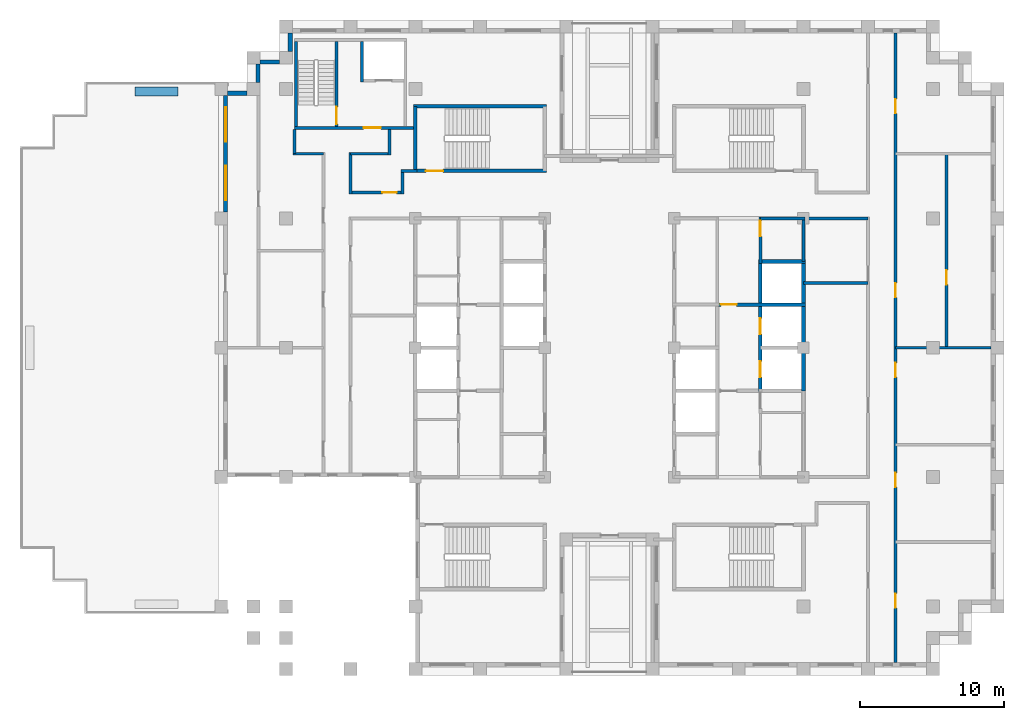
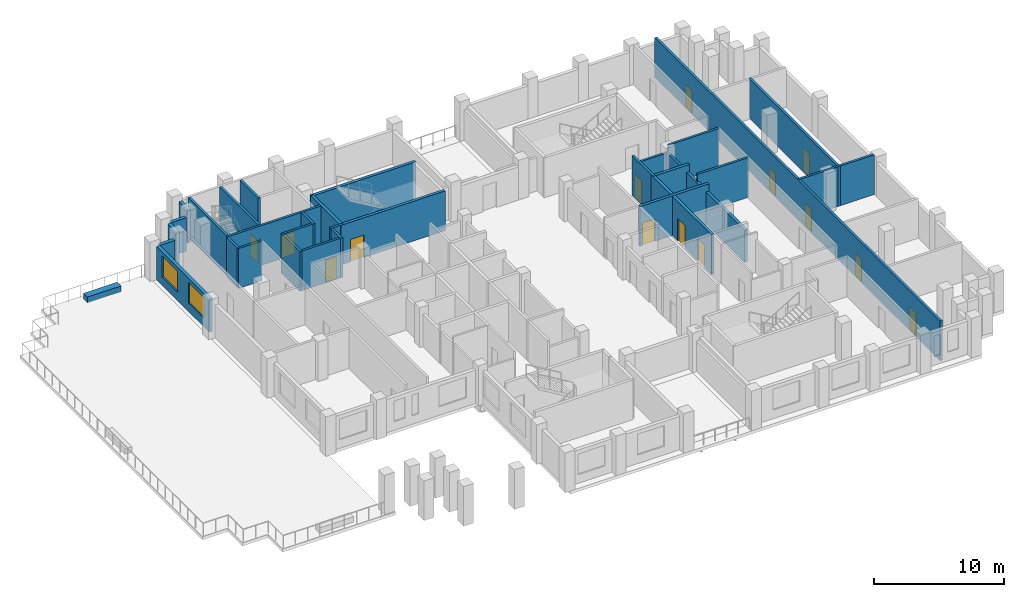
# One storey, part 5 of 10: 33 walls, 14 doors, 2 windows, 16 openings.
"""IFC4 building model written with IfcOpenShell, lengths in metres."""

from ifc_helpers import new_model, si_unit, direction, frame, frame_2d, origin, place, context, subcontext, project, spatial, rectangle, extrude, material, layer, layer_set, type_object, element, fill, save


model = new_model("IFC4")

# Units and contexts
model_context = context("Model", 3, precision=1e-05, world=origin(), true_north=direction((0.0, 1.0)))
body_context = subcontext(model_context, "Body", "Model", "MODEL_VIEW")
ifc_project = project(units=[si_unit("LENGTHUNIT", "METRE"), si_unit("AREAUNIT", "SQUARE_METRE"), si_unit("VOLUMEUNIT", "CUBIC_METRE"), si_unit("PLANEANGLEUNIT", "RADIAN"), si_unit("MASSUNIT", "GRAM", prefix="KILO")], contexts=[model_context])

# Site, building, storey
site_placement = place(None, origin())
site = spatial("IfcSite", under=ifc_project, at=site_placement, CompositionType="ELEMENT")
building_placement = place(site_placement, origin())
building = spatial("IfcBuilding", under=site, at=building_placement, Name="Corbelhall Arena Tower", CompositionType="ELEMENT")
storey_placement = place(building_placement, frame((0.0, 0.0, 242.0)))
storey = spatial("IfcBuildingStorey", under=building, at=storey_placement, Name="L51", CompositionType="ELEMENT", Elevation=242.0)

# Walls
ifc_material_1 = material(Name="Precast concrete C40/50 with granite facing", Category="masonry")
ifc_layer_1 = layer(ifc_material_1, 0.300048828125)
ifc_layer_set_1 = layer_set([ifc_layer_1], Name="EV-IW1 Infill panel 300")
wall_type_1 = type_object("IfcWallType", Name="EV-IW1 Infill panel 300", PredefinedType="SOLIDWALL", material=ifc_layer_set_1)
wall_1_placement = place(storey_placement, frame((-24.449951171875, 19.72509765625, 0.0), z_axis=(0.0, 0.0, 1.0), x_axis=(0.0, -1.0, 0.0)))
element("IfcWall", 1, at=wall_1_placement, inside=storey, type_object=wall_type_1, Name="Infill panel IW1", PredefinedType="SOLIDWALL", context=body_context, shape_type="SweptSolid", body=[
    extrude(rectangle(XDim=1.275146484375, YDim=0.300048828125, at=frame_2d((0.6376953125, 0.0))), origin(), (0.0, 0.0, 1.0), 3.1201171875),
])
wall_2_placement = place(storey_placement, frame((-25.199951171875, 17.699951171875, 0.0), z_axis=(0.0, 0.0, 1.0), x_axis=(-1.0, 0.0, 0.0)))
element("IfcWall", 2, at=wall_2_placement, inside=storey, type_object=wall_type_1, Name="Infill panel IW1", PredefinedType="SOLIDWALL", context=body_context, shape_type="SweptSolid", body=[
    extrude(rectangle(XDim=1.35009765625, YDim=0.300048828125, at=frame_2d((0.675048828125, 0.0))), origin(), (0.0, 0.0, 1.0), 3.1201171875),
])

# Wall, openings, windows
wall_3_placement = place(storey_placement, frame((-26.699951171875, 17.550048828125, 0.0), z_axis=(0.0, 0.0, 1.0), x_axis=(0.0, -1.0, 0.0)))
wall_3 = element("IfcWall", 3, at=wall_3_placement, inside=storey, type_object=wall_type_1, Name="Infill panel IW1", PredefinedType="SOLIDWALL", context=body_context, shape_type="SweptSolid", body=[
    extrude(rectangle(XDim=8.10009765625, YDim=0.300048828125, at=frame_2d((4.050048828125, 0.0))), origin(), (0.0, 0.0, 1.0), 3.1201171875),
])
opening_1_placement = place(wall_3_placement, frame((0.824951171875, 0.0, 0.800048828125)))
opening_1 = element("IfcOpeningElement", 4, at=opening_1_placement, cuts=wall_3, Name="Opening WN1", PredefinedType="OPENING", context=body_context, shape_type="SweptSolid", body=[
    extrude(rectangle(XDim=2.39990234375, YDim=1.949951171875, at=frame_2d((1.199951171875, 0.97509765625))), frame((0.0, 0.14990234375, 0.0), z_axis=(0.0, -1.0, 0.0), x_axis=(1.0, 0.0, 0.0)), (0.0, 0.0, 1.0), 0.300048828125),
])
opening_2_placement = place(wall_3_placement, frame((4.875, 0.0, 0.800048828125)))
opening_2 = element("IfcOpeningElement", 5, at=opening_2_placement, cuts=wall_3, Name="Opening WN1", PredefinedType="OPENING", context=body_context, shape_type="SweptSolid", body=[
    extrude(rectangle(XDim=2.39990234375, YDim=1.949951171875, at=frame_2d((1.199951171875, 0.97509765625))), frame((0.0, 0.14990234375, 0.0), z_axis=(0.0, -1.0, 0.0), x_axis=(1.0, 0.0, 0.0)), (0.0, 0.0, 1.0), 0.300048828125),
])
ifc_material_2 = material(Name="Aluminium black anodised", Category="aluminium")
window_type = type_object("IfcWindowType", Name="EV-WN1 Office window", PartitioningType="SINGLE_PANEL", PredefinedType="WINDOW", material=ifc_material_2)
window_1_placement = place(opening_1_placement, origin())
window_1 = element("IfcWindow", 6, at=window_1_placement, inside=storey, type_object=window_type, Name="Window WN1", OverallHeight=1.949951171875, OverallWidth=2.39990234375, PartitioningType="SINGLE_PANEL", PredefinedType="WINDOW", context=body_context, shape_type="SweptSolid", body=[
    extrude(rectangle(XDim=2.39990234375, YDim=1.949951171875, at=frame_2d((1.199951171875, 0.97509765625))), frame((0.0, 0.030029296875, 0.0), z_axis=(0.0, -1.0, 0.0), x_axis=(1.0, 0.0, 0.0)), (0.0, 0.0, 1.0), 0.06005859375),
])
fill(opening_1, window_1)
window_2_placement = place(opening_2_placement, origin())
window_2 = element("IfcWindow", 7, at=window_2_placement, inside=storey, type_object=window_type, Name="Window WN1", OverallHeight=1.949951171875, OverallWidth=2.39990234375, PartitioningType="SINGLE_PANEL", PredefinedType="WINDOW", context=body_context, shape_type="SweptSolid", body=[
    extrude(rectangle(XDim=2.39990234375, YDim=1.949951171875, at=frame_2d((1.199951171875, 0.97509765625))), frame((0.0, 0.030029296875, 0.0), z_axis=(0.0, -1.0, 0.0), x_axis=(1.0, 0.0, 0.0)), (0.0, 0.0, 1.0), 0.06005859375),
])
fill(opening_2, window_2)

# Walls
wall_4_placement = place(storey_placement, frame((-22.199951171875, 21.89990234375, 0.0), z_axis=(0.0, 0.0, 1.0), x_axis=(0.0, -1.0, 0.0)))
element("IfcWall", 8, at=wall_4_placement, inside=storey, type_object=wall_type_1, Name="Infill panel IW1", PredefinedType="SOLIDWALL", context=body_context, shape_type="SweptSolid", body=[
    extrude(rectangle(XDim=1.27490234375, YDim=0.300048828125, at=frame_2d((0.637451171875, 0.0))), origin(), (0.0, 0.0, 1.0), 3.1201171875),
])
wall_5_placement = place(storey_placement, frame((-22.949951171875, 19.875, 0.0), z_axis=(0.0, 0.0, 1.0), x_axis=(-1.0, 0.0, 0.0)))
element("IfcWall", 9, at=wall_5_placement, inside=storey, type_object=wall_type_1, Name="Infill panel IW1", PredefinedType="SOLIDWALL", context=body_context, shape_type="SweptSolid", body=[
    extrude(rectangle(XDim=1.35009765625, YDim=0.300048828125, at=frame_2d((0.675048828125, 0.0))), origin(), (0.0, 0.0, 1.0), 3.1201171875),
])
ifc_layer_2 = layer(ifc_material_1, 0.60009765625)
ifc_layer_set_2 = layer_set([ifc_layer_2], Name="EV-PL1 Planter box")
wall_type_2 = type_object("IfcWallType", Name="EV-PL1 Planter box", PredefinedType="SOLIDWALL", material=ifc_layer_set_2)
wall_6_placement = place(storey_placement, frame((-33.0, 17.830078125, 0.0), z_axis=(0.0, 0.0, 1.0), x_axis=(1.0, 0.0, 0.0)))
element("IfcWall", 10, at=wall_6_placement, inside=storey, type_object=wall_type_2, Name="PLANTER", PredefinedType="SOLIDWALL", context=body_context, shape_type="SweptSolid", body=[
    extrude(rectangle(XDim=3.0, YDim=0.60009765625, at=frame_2d((1.5, 0.0))), origin(), (0.0, 0.0, 1.0), 0.5400390625),
])
ifc_material_3 = material(Name="Gypsum board on steel stud, acoustic", Category="steel")
ifc_layer_3 = layer(ifc_material_3, 0.199951171875)
ifc_layer_set_3 = layer_set([ifc_layer_3], Name="IN-W-DM200")
wall_type_3 = type_object("IfcWallType", Name="IN-W-DM200", PredefinedType="PARTITIONING", material=ifc_layer_set_3)
wall_7_placement = place(storey_placement, frame((-21.89990234375, 13.5, 0.0), z_axis=(0.0, 0.0, 1.0), x_axis=(0.0, 1.0, 0.0)))
element("IfcWall", 11, at=wall_7_placement, inside=storey, type_object=wall_type_3, Name="Partition 004", PredefinedType="PARTITIONING", context=body_context, shape_type="SweptSolid", body=[
    extrude(rectangle(XDim=1.699951171875, YDim=0.199951171875, at=frame_2d((0.85009765625, 0.0))), origin(), (0.0, 0.0, 1.0), 3.719970703125),
])
wall_8_placement = place(storey_placement, frame((-19.89990234375, 13.5, 0.0), z_axis=(0.0, 0.0, 1.0), x_axis=(-1.0, 0.0, 0.0)))
element("IfcWall", 12, at=wall_8_placement, inside=storey, type_object=wall_type_3, Name="Partition 006", PredefinedType="PARTITIONING", context=body_context, shape_type="SweptSolid", body=[
    extrude(rectangle(XDim=2.10009765625, YDim=0.199951171875, at=frame_2d((1.050048828125, 0.0))), origin(), (0.0, 0.0, 1.0), 3.719970703125),
])

# Wall, opening, door
wall_9_placement = place(storey_placement, frame((-18.0, 10.800048828125, 0.0), z_axis=(0.0, 0.0, 1.0), x_axis=(1.0, 0.0, 0.0)))
wall_9 = element("IfcWall", 13, at=wall_9_placement, inside=storey, type_object=wall_type_3, Name="Partition 009", PredefinedType="PARTITIONING", context=body_context, shape_type="SweptSolid", body=[
    extrude(rectangle(XDim=3.60009765625, YDim=0.199951171875, at=frame_2d((1.800048828125, 0.0))), origin(), (0.0, 0.0, 1.0), 3.719970703125),
])
opening_3_placement = place(wall_9_placement, frame((2.199951171875, 0.0, 0.0)))
opening_3 = element("IfcOpeningElement", 14, at=opening_3_placement, cuts=wall_9, Name="Opening 16025", PredefinedType="OPENING", context=body_context, shape_type="SweptSolid", body=[
    extrude(rectangle(XDim=1.0, YDim=2.10009765625, at=frame_2d((0.5, 1.050048828125))), frame((0.0, 0.10009765625, 0.0), z_axis=(0.0, -1.0, 0.0), x_axis=(1.0, 0.0, 0.0)), (0.0, 0.0, 1.0), 0.199951171875),
])
ifc_material_4 = material(Name="Steel door set", Category="steel")
door_type_1 = type_object("IfcDoorType", Name="IN-D-SW100", OperationType="NOTDEFINED", PredefinedType="DOOR", material=ifc_material_4)
door_1_placement = place(opening_3_placement, origin())
door_1 = element("IfcDoor", 15, at=door_1_placement, inside=storey, type_object=door_type_1, Name="Door 025", OperationType="SINGLE_SWING_RIGHT", OverallHeight=2.10009765625, OverallWidth=1.0, PredefinedType="DOOR", context=body_context, shape_type="SweptSolid", body=[
    extrude(rectangle(XDim=1.0, YDim=2.10009765625, at=frame_2d((0.5, 1.050048828125))), frame((0.0, 0.02490234375, 0.0), z_axis=(0.0, -1.0, 0.0), x_axis=(1.0, 0.0, 0.0)), (0.0, 0.0, 1.0), 0.050048828125),
])
fill(opening_3, door_1)

# Walls
wall_10_placement = place(storey_placement, frame((-18.0, 13.60009765625, 0.0), z_axis=(0.0, 0.0, 1.0), x_axis=(0.0, -1.0, 0.0)))
element("IfcWall", 16, at=wall_10_placement, inside=storey, type_object=wall_type_3, Name="Partition 010", PredefinedType="PARTITIONING", context=body_context, shape_type="SweptSolid", body=[
    extrude(rectangle(XDim=2.900146484375, YDim=0.199951171875, at=frame_2d((1.4501953125, 0.0))), origin(), (0.0, 0.0, 1.0), 3.719970703125),
])
wall_11_placement = place(storey_placement, frame((-15.300048828125, 13.5, 0.0), z_axis=(0.0, 0.0, 1.0), x_axis=(-1.0, 0.0, 0.0)))
element("IfcWall", 17, at=wall_11_placement, inside=storey, type_object=wall_type_3, Name="Partition 011", PredefinedType="PARTITIONING", context=body_context, shape_type="SweptSolid", body=[
    extrude(rectangle(XDim=2.699951171875, YDim=0.199951171875, at=frame_2d((1.35009765625, 0.0))), origin(), (0.0, 0.0, 1.0), 3.719970703125),
])
wall_12_placement = place(storey_placement, frame((-15.300048828125, 15.199951171875, 0.0), z_axis=(0.0, 0.0, 1.0), x_axis=(0.0, -1.0, 0.0)))
element("IfcWall", 18, at=wall_12_placement, inside=storey, type_object=wall_type_3, Name="Partition 012", PredefinedType="PARTITIONING", context=body_context, shape_type="SweptSolid", body=[
    extrude(rectangle(XDim=1.800048828125, YDim=0.199951171875, at=frame_2d((0.89990234375, 0.0))), origin(), (0.0, 0.0, 1.0), 3.719970703125),
])
wall_13_placement = place(storey_placement, frame((-14.5, 12.300048828125, 0.0), z_axis=(0.0, 0.0, 1.0), x_axis=(1.0, 0.0, 0.0)))
element("IfcWall", 19, at=wall_13_placement, inside=storey, type_object=wall_type_3, Name="Partition 013", PredefinedType="PARTITIONING", context=body_context, shape_type="SweptSolid", body=[
    extrude(rectangle(XDim=1.125, YDim=0.199951171875, at=frame_2d((0.5625, 0.0))), origin(), (0.0, 0.0, 1.0), 3.719970703125),
])
wall_14_placement = place(storey_placement, frame((-14.39990234375, 10.699951171875, 0.0), z_axis=(0.0, 0.0, 1.0), x_axis=(0.0, 1.0, 0.0)))
element("IfcWall", 20, at=wall_14_placement, inside=storey, type_object=wall_type_3, Name="Partition 015", PredefinedType="PARTITIONING", context=body_context, shape_type="SweptSolid", body=[
    extrude(rectangle(XDim=1.60009765625, YDim=0.199951171875, at=frame_2d((0.800048828125, 0.0))), origin(), (0.0, 0.0, 1.0), 3.719970703125),
])
for number, where, z_axis, x_axis, name in (
    (21, (13.5, 4.5, 0.0), (0.0, 0.0, 1.0), (1.0, 0.0, 0.0), "Partition 023"),
    (22, (18.0, 9.0, 0.0), (0.0, 0.0, 1.0), (-1.0, 0.0, 0.0), "Partition 026"),
):
    element("IfcWall", number, at=place(storey_placement, frame(where, z_axis=z_axis, x_axis=x_axis)), inside=storey, type_object=wall_type_3, Name=name, PredefinedType="PARTITIONING", context=body_context, shape_type="SweptSolid", body=[
        extrude(rectangle(XDim=4.5, YDim=0.199951171875, at=frame_2d((2.25, 0.0))), origin(), (0.0, 0.0, 1.0), 3.719970703125),
    ])

# Wall, openings, doors
wall_15_placement = place(storey_placement, frame((19.89990234375, 21.89990234375, 0.0), z_axis=(0.0, 0.0, 1.0), x_axis=(0.0, -1.0, 0.0)))
wall_15 = element("IfcWall", 23, at=wall_15_placement, inside=storey, type_object=wall_type_3, Name="Partition 034", PredefinedType="PARTITIONING", context=body_context, shape_type="SweptSolid", body=[
    extrude(rectangle(XDim=43.7998046875, YDim=0.199951171875, at=frame_2d((21.89990234375, 0.0))), origin(), (0.0, 0.0, 1.0), 3.719970703125),
])
opening_4_placement = place(wall_15_placement, frame((17.39990234375, 0.0, 0.0)))
opening_4 = element("IfcOpeningElement", 24, at=opening_4_placement, cuts=wall_15, Name="Opening 16032", PredefinedType="OPENING", context=body_context, shape_type="SweptSolid", body=[
    extrude(rectangle(XDim=1.0, YDim=2.10009765625, at=frame_2d((0.5, 1.050048828125))), frame((0.0, 0.10009765625, 0.0), z_axis=(0.0, -1.0, 0.0), x_axis=(1.0, 0.0, 0.0)), (0.0, 0.0, 1.0), 0.199951171875),
])
opening_5_placement = place(wall_15_placement, frame((4.60009765625, 0.0, 0.0)))
opening_5 = element("IfcOpeningElement", 25, at=opening_5_placement, cuts=wall_15, Name="Opening 16034", PredefinedType="OPENING", context=body_context, shape_type="SweptSolid", body=[
    extrude(rectangle(XDim=1.0, YDim=2.10009765625, at=frame_2d((0.5, 1.050048828125))), frame((0.0, 0.10009765625, 0.0), z_axis=(0.0, -1.0, 0.0), x_axis=(1.0, 0.0, 0.0)), (0.0, 0.0, 1.0), 0.199951171875),
])
opening_6_placement = place(wall_15_placement, frame((39.0, 0.0, 0.0)))
opening_6 = element("IfcOpeningElement", 26, at=opening_6_placement, cuts=wall_15, Name="Opening 16035", PredefinedType="OPENING", context=body_context, shape_type="SweptSolid", body=[
    extrude(rectangle(XDim=1.0, YDim=2.10009765625, at=frame_2d((0.5, 1.050048828125))), frame((0.0, 0.10009765625, 0.0), z_axis=(0.0, -1.0, 0.0), x_axis=(1.0, 0.0, 0.0)), (0.0, 0.0, 1.0), 0.199951171875),
])
opening_7_placement = place(wall_15_placement, frame((30.60009765625, 0.0, 0.0)))
opening_7 = element("IfcOpeningElement", 27, at=opening_7_placement, cuts=wall_15, Name="Opening 16036", PredefinedType="OPENING", context=body_context, shape_type="SweptSolid", body=[
    extrude(rectangle(XDim=1.0, YDim=2.10009765625, at=frame_2d((0.5, 1.050048828125))), frame((0.0, 0.10009765625, 0.0), z_axis=(0.0, -1.0, 0.0), x_axis=(1.0, 0.0, 0.0)), (0.0, 0.0, 1.0), 0.199951171875),
])
opening_8_placement = place(wall_15_placement, frame((22.949951171875, 0.0, 0.0)))
opening_8 = element("IfcOpeningElement", 28, at=opening_8_placement, cuts=wall_15, Name="Opening 16037", PredefinedType="OPENING", context=body_context, shape_type="SweptSolid", body=[
    extrude(rectangle(XDim=1.0, YDim=2.10009765625, at=frame_2d((0.5, 1.050048828125))), frame((0.0, 0.10009765625, 0.0), z_axis=(0.0, -1.0, 0.0), x_axis=(1.0, 0.0, 0.0)), (0.0, 0.0, 1.0), 0.199951171875),
])
door_2_placement = place(opening_4_placement, origin())
door_2 = element("IfcDoor", 29, at=door_2_placement, inside=storey, type_object=door_type_1, Name="Door 032", OperationType="SINGLE_SWING_LEFT", OverallHeight=2.10009765625, OverallWidth=1.0, PredefinedType="DOOR", context=body_context, shape_type="SweptSolid", body=[
    extrude(rectangle(XDim=1.0, YDim=2.10009765625, at=frame_2d((0.5, 1.050048828125))), frame((0.0, 0.02490234375, 0.0), z_axis=(0.0, -1.0, 0.0), x_axis=(1.0, 0.0, 0.0)), (0.0, 0.0, 1.0), 0.050048828125),
])
fill(opening_4, door_2)
door_3_placement = place(opening_5_placement, origin())
door_3 = element("IfcDoor", 30, at=door_3_placement, inside=storey, type_object=door_type_1, Name="Door 034", OperationType="SINGLE_SWING_LEFT", OverallHeight=2.10009765625, OverallWidth=1.0, PredefinedType="DOOR", context=body_context, shape_type="SweptSolid", body=[
    extrude(rectangle(XDim=1.0, YDim=2.10009765625, at=frame_2d((0.5, 1.050048828125))), frame((0.0, 0.02490234375, 0.0), z_axis=(0.0, -1.0, 0.0), x_axis=(1.0, 0.0, 0.0)), (0.0, 0.0, 1.0), 0.050048828125),
])
fill(opening_5, door_3)
door_4_placement = place(opening_6_placement, origin())
door_4 = element("IfcDoor", 31, at=door_4_placement, inside=storey, type_object=door_type_1, Name="Door 035", OperationType="SINGLE_SWING_RIGHT", OverallHeight=2.10009765625, OverallWidth=1.0, PredefinedType="DOOR", context=body_context, shape_type="SweptSolid", body=[
    extrude(rectangle(XDim=1.0, YDim=2.10009765625, at=frame_2d((0.5, 1.050048828125))), frame((0.0, 0.02490234375, 0.0), z_axis=(0.0, -1.0, 0.0), x_axis=(1.0, 0.0, 0.0)), (0.0, 0.0, 1.0), 0.050048828125),
])
fill(opening_6, door_4)
door_5_placement = place(opening_7_placement, origin())
door_5 = element("IfcDoor", 32, at=door_5_placement, inside=storey, type_object=door_type_1, Name="Door 036", OperationType="SINGLE_SWING_LEFT", OverallHeight=2.10009765625, OverallWidth=1.0, PredefinedType="DOOR", context=body_context, shape_type="SweptSolid", body=[
    extrude(rectangle(XDim=1.0, YDim=2.10009765625, at=frame_2d((0.5, 1.050048828125))), frame((0.0, 0.02490234375, 0.0), z_axis=(0.0, -1.0, 0.0), x_axis=(1.0, 0.0, 0.0)), (0.0, 0.0, 1.0), 0.050048828125),
])
fill(opening_7, door_5)
door_6_placement = place(opening_8_placement, origin())
door_6 = element("IfcDoor", 33, at=door_6_placement, inside=storey, type_object=door_type_1, Name="Door 037", OperationType="SINGLE_SWING_RIGHT", OverallHeight=2.10009765625, OverallWidth=1.0, PredefinedType="DOOR", context=body_context, shape_type="SweptSolid", body=[
    extrude(rectangle(XDim=1.0, YDim=2.10009765625, at=frame_2d((0.5, 1.050048828125))), frame((0.0, 0.02490234375, 0.0), z_axis=(0.0, -1.0, 0.0), x_axis=(1.0, 0.0, 0.0)), (0.0, 0.0, 1.0), 0.050048828125),
])
fill(opening_8, door_6)

# Wall
wall_16_placement = place(storey_placement, frame((26.550048828125, 0.0, 0.0), z_axis=(0.0, 0.0, 1.0), x_axis=(-1.0, 0.0, 0.0)))
element("IfcWall", 34, at=wall_16_placement, inside=storey, type_object=wall_type_3, Name="Partition 037", PredefinedType="PARTITIONING", context=body_context, shape_type="SweptSolid", body=[
    extrude(rectangle(XDim=6.650146484375, YDim=0.199951171875, at=frame_2d((3.3251953125, 0.0))), origin(), (0.0, 0.0, 1.0), 3.719970703125),
])

# Wall, opening, door
wall_17_placement = place(storey_placement, frame((23.449951171875, 13.60009765625, 0.0), z_axis=(0.0, 0.0, 1.0), x_axis=(0.0, -1.0, 0.0)))
wall_17 = element("IfcWall", 35, at=wall_17_placement, inside=storey, type_object=wall_type_3, Name="Partition 038", PredefinedType="PARTITIONING", context=body_context, shape_type="SweptSolid", body=[
    extrude(rectangle(XDim=13.7001953125, YDim=0.199951171875, at=frame_2d((6.85009765625, 0.0))), origin(), (0.0, 0.0, 1.0), 3.719970703125),
])
opening_9_placement = place(wall_17_placement, frame((8.199951171875, 0.0, 0.0)))
opening_9 = element("IfcOpeningElement", 36, at=opening_9_placement, cuts=wall_17, Name="Opening 16033", PredefinedType="OPENING", context=body_context, shape_type="SweptSolid", body=[
    extrude(rectangle(XDim=1.0, YDim=2.10009765625, at=frame_2d((0.5, 1.050048828125))), frame((0.0, 0.10009765625, 0.0), z_axis=(0.0, -1.0, 0.0), x_axis=(1.0, 0.0, 0.0)), (0.0, 0.0, 1.0), 0.199951171875),
])
door_7_placement = place(opening_9_placement, origin())
door_7 = element("IfcDoor", 37, at=door_7_placement, inside=storey, type_object=door_type_1, Name="Door 033", OperationType="SINGLE_SWING_RIGHT", OverallHeight=2.10009765625, OverallWidth=1.0, PredefinedType="DOOR", context=body_context, shape_type="SweptSolid", body=[
    extrude(rectangle(XDim=1.0, YDim=2.10009765625, at=frame_2d((0.5, 1.050048828125))), frame((0.0, 0.02490234375, 0.0), z_axis=(0.0, -1.0, 0.0), x_axis=(1.0, 0.0, 0.0)), (0.0, 0.0, 1.0), 0.050048828125),
])
fill(opening_9, door_7)

ifc_material_5 = material(Name="Concrete C40/50", Category="concrete")
ifc_layer_4 = layer(ifc_material_5, 0.199951171875)
ifc_layer_set_4 = layer_set([ifc_layer_4], Name="IN-W-EAR200")
wall_type_4 = type_object("IfcWallType", Name="IN-W-EAR200", PredefinedType="SOLIDWALL", material=ifc_layer_set_4)
wall_18_placement = place(storey_placement, frame((-21.89990234375, 15.300048828125, 0.0), z_axis=(0.0, 0.0, 1.0), x_axis=(1.0, 0.0, 0.0)))
wall_18 = element("IfcWall", 38, at=wall_18_placement, inside=storey, type_object=wall_type_4, Name="Fire service turret wall south", PredefinedType="SOLIDWALL", context=body_context, shape_type="SweptSolid", body=[
    extrude(rectangle(XDim=8.27490234375, YDim=0.199951171875, at=frame_2d((4.137451171875, 0.0))), origin(), (0.0, 0.0, 1.0), 3.719970703125),
])
opening_10_placement = place(wall_18_placement, frame((4.800048828125, 0.0, 0.0)))
opening_10 = element("IfcOpeningElement", 39, at=opening_10_placement, cuts=wall_18, Name="Opening E162", PredefinedType="OPENING", context=body_context, shape_type="SweptSolid", body=[
    extrude(rectangle(XDim=1.199951171875, YDim=2.10009765625, at=frame_2d((0.60009765625, 1.050048828125))), frame((0.0, 0.10009765625, 0.0), z_axis=(0.0, -1.0, 0.0), x_axis=(1.0, 0.0, 0.0)), (0.0, 0.0, 1.0), 0.199951171875),
])
door_type_2 = type_object("IfcDoorType", Name="IN-D-ST120", OperationType="NOTDEFINED", PredefinedType="DOOR", material=ifc_material_4)
door_8_placement = place(opening_10_placement, origin())
door_8 = element("IfcDoor", 40, at=door_8_placement, inside=storey, type_object=door_type_2, Name="Door from fire service lift lobby to circulation", OperationType="SINGLE_SWING_RIGHT", OverallHeight=2.10009765625, OverallWidth=1.199951171875, PredefinedType="DOOR", context=body_context, shape_type="SweptSolid", body=[
    extrude(rectangle(XDim=1.199951171875, YDim=2.10009765625, at=frame_2d((0.60009765625, 1.050048828125))), frame((0.0, 0.02490234375, 0.0), z_axis=(0.0, -1.0, 0.0), x_axis=(1.0, 0.0, 0.0)), (0.0, 0.0, 1.0), 0.050048828125),
])
fill(opening_10, door_8)

# Wall
wall_19_placement = place(storey_placement, frame((-21.800048828125, 15.39990234375, 0.0), z_axis=(0.0, 0.0, 1.0), x_axis=(0.0, 1.0, 0.0)))
element("IfcWall", 41, at=wall_19_placement, inside=storey, type_object=wall_type_4, Name="Fire service turret wall west", PredefinedType="SOLIDWALL", context=body_context, shape_type="SweptSolid", body=[
    extrude(rectangle(XDim=5.900146484375, YDim=0.199951171875, at=frame_2d((2.9501953125, 0.0))), origin(), (0.0, 0.0, 1.0), 3.719970703125),
])

# Wall, opening, door
wall_20_placement = place(storey_placement, frame((-18.989990234375, 15.39990234375, 0.0), z_axis=(0.0, 0.0, 1.0), x_axis=(0.0, 1.0, 0.0)))
wall_20 = element("IfcWall", 42, at=wall_20_placement, inside=storey, type_object=wall_type_4, Name="Fire service turret wall stair", PredefinedType="SOLIDWALL", context=body_context, shape_type="SweptSolid", body=[
    extrude(rectangle(XDim=5.900146484375, YDim=0.199951171875, at=frame_2d((2.9501953125, 0.0))), origin(), (0.0, 0.0, 1.0), 3.719970703125),
])
opening_11_placement = place(wall_20_placement, frame((0.14990234375, 0.0, 0.0)))
opening_11 = element("IfcOpeningElement", 43, at=opening_11_placement, cuts=wall_20, Name="Opening E161", PredefinedType="OPENING", context=body_context, shape_type="SweptSolid", body=[
    extrude(rectangle(XDim=1.199951171875, YDim=2.10009765625, at=frame_2d((0.60009765625, 1.050048828125))), frame((0.0, 0.10009765625, 0.0), z_axis=(0.0, -1.0, 0.0), x_axis=(1.0, 0.0, 0.0)), (0.0, 0.0, 1.0), 0.199951171875),
])
door_9_placement = place(opening_11_placement, origin())
door_9 = element("IfcDoor", 44, at=door_9_placement, inside=storey, type_object=door_type_2, Name="Stair door to fire service lobby", OperationType="SINGLE_SWING_LEFT", OverallHeight=2.10009765625, OverallWidth=1.199951171875, PredefinedType="DOOR", context=body_context, shape_type="SweptSolid", body=[
    extrude(rectangle(XDim=1.199951171875, YDim=2.10009765625, at=frame_2d((0.60009765625, 1.050048828125))), frame((0.0, 0.02490234375, 0.0), z_axis=(0.0, -1.0, 0.0), x_axis=(1.0, 0.0, 0.0)), (0.0, 0.0, 1.0), 0.050048828125),
])
fill(opening_11, door_9)

# Wall
wall_21_placement = place(storey_placement, frame((-17.199951171875, 18.5, 0.0), z_axis=(0.0, 0.0, 1.0), x_axis=(0.0, 1.0, 0.0)))
element("IfcWall", 45, at=wall_21_placement, inside=storey, type_object=wall_type_4, Name="Fire service turret wall hoistway west", PredefinedType="SOLIDWALL", context=body_context, shape_type="SweptSolid", body=[
    extrude(rectangle(XDim=2.800048828125, YDim=0.199951171875, at=frame_2d((1.39990234375, 0.0))), origin(), (0.0, 0.0, 1.0), 3.719970703125),
])

# Wall, opening, door
ifc_material_6 = material(Name="Concrete block wall", Category="concrete")
ifc_layer_5 = layer(ifc_material_6, 0.199951171875)
ifc_layer_set_5 = layer_set([ifc_layer_5], Name="IN-W-RS200")
wall_type_5 = type_object("IfcWallType", Name="IN-W-RS200", PredefinedType="SOLIDWALL", material=ifc_layer_set_5)
wall_22_placement = place(storey_placement, frame((10.5, 9.10009765625, 0.0), z_axis=(0.0, 0.0, 1.0), x_axis=(0.0, -1.0, 0.0)))
wall_22 = element("IfcWall", 46, at=wall_22_placement, inside=storey, type_object=wall_type_5, Name="Partition 060", PredefinedType="SOLIDWALL", context=body_context, shape_type="SweptSolid", body=[
    extrude(rectangle(XDim=3.22509765625, YDim=0.199951171875, at=frame_2d((1.612548828125, 0.0))), origin(), (0.0, 0.0, 1.0), 3.719970703125),
])
opening_12_placement = place(wall_22_placement, frame((0.25, 0.0, 0.0)))
opening_12 = element("IfcOpeningElement", 47, at=opening_12_placement, cuts=wall_22, Name="Opening 16016", PredefinedType="OPENING", context=body_context, shape_type="SweptSolid", body=[
    extrude(rectangle(XDim=1.10009765625, YDim=2.10009765625, at=frame_2d((0.550048828125, 1.050048828125))), frame((0.0, 0.10009765625, 0.0), z_axis=(0.0, -1.0, 0.0), x_axis=(1.0, 0.0, 0.0)), (0.0, 0.0, 1.0), 0.199951171875),
])
door_type_3 = type_object("IfcDoorType", Name="IN-D-FD110", OperationType="NOTDEFINED", PredefinedType="DOOR", material=ifc_material_4)
door_10_placement = place(opening_12_placement, origin())
door_10 = element("IfcDoor", 48, at=door_10_placement, inside=storey, type_object=door_type_3, Name="Door 016", OperationType="SINGLE_SWING_LEFT", OverallHeight=2.10009765625, OverallWidth=1.10009765625, PredefinedType="DOOR", context=body_context, shape_type="SweptSolid", body=[
    extrude(rectangle(XDim=1.10009765625, YDim=2.10009765625, at=frame_2d((0.550048828125, 1.050048828125))), frame((0.0, 0.02490234375, 0.0), z_axis=(0.0, -1.0, 0.0), x_axis=(1.0, 0.0, 0.0)), (0.0, 0.0, 1.0), 0.050048828125),
])
fill(opening_12, door_10)

# Walls
ifc_layer_6 = layer(ifc_material_6, 0.199951171875)
ifc_layer_set_6 = layer_set([ifc_layer_6], Name="IN-W-RS200 under beam 678 mm")
wall_type_6 = type_object("IfcWallType", Name="IN-W-RS200 under beam 678 mm", PredefinedType="SOLIDWALL", material=ifc_layer_set_6)
for number, where, z_axis, x_axis, name in (
    (49, (10.5, 9.0, 0.0), (0.0, 0.0, 1.0), (1.0, 0.0, 0.0), "Partition 059"),
    (50, (13.5, 9.10009765625, 0.0), (0.0, 0.0, 1.0), (0.0, -1.0, 0.0), "Partition 062"),
):
    element("IfcWall", number, at=place(storey_placement, frame(where, z_axis=z_axis, x_axis=x_axis)), inside=storey, type_object=wall_type_6, Name=name, PredefinedType="SOLIDWALL", context=body_context, shape_type="SweptSolid", body=[
        extrude(rectangle(XDim=3.10009765625, YDim=0.199951171875, at=frame_2d((1.550048828125, 0.0))), origin(), (0.0, 0.0, 1.0), 3.041748046875),
    ])

# Wall, opening, door
ifc_layer_7 = layer(ifc_material_5, 0.25)
ifc_layer_set_7 = layer_set([ifc_layer_7], Name="IN-W-SH250")
wall_type_7 = type_object("IfcWallType", Name="IN-W-SH250", PredefinedType="SOLIDWALL", material=ifc_layer_set_7)
wall_23_placement = place(storey_placement, frame((7.5, 3.0, 0.0), z_axis=(0.0, 0.0, 1.0), x_axis=(1.0, 0.0, 0.0)))
wall_23 = element("IfcWall", 51, at=wall_23_placement, inside=storey, type_object=wall_type_7, Name="Shaft wall 077", PredefinedType="SOLIDWALL", context=body_context, shape_type="SweptSolid", body=[
    extrude(rectangle(XDim=6.125, YDim=0.25, at=frame_2d((3.0625, 0.0))), origin(), (0.0, 0.0, 1.0), 3.719970703125),
])
opening_13_placement = place(wall_23_placement, frame((0.25, 0.0, 0.0)))
opening_13 = element("IfcOpeningElement", 52, at=opening_13_placement, cuts=wall_23, Name="Opening 16013", PredefinedType="OPENING", context=body_context, shape_type="SweptSolid", body=[
    extrude(rectangle(XDim=1.10009765625, YDim=2.10009765625, at=frame_2d((0.550048828125, 1.050048828125))), frame((0.0, 0.125, 0.0), z_axis=(0.0, -1.0, 0.0), x_axis=(1.0, 0.0, 0.0)), (0.0, 0.0, 1.0), 0.25),
])
door_11_placement = place(opening_13_placement, origin())
door_11 = element("IfcDoor", 53, at=door_11_placement, inside=storey, type_object=door_type_3, Name="Door 013", OperationType="SINGLE_SWING_RIGHT", OverallHeight=2.10009765625, OverallWidth=1.10009765625, PredefinedType="DOOR", context=body_context, shape_type="SweptSolid", body=[
    extrude(rectangle(XDim=1.10009765625, YDim=2.10009765625, at=frame_2d((0.550048828125, 1.050048828125))), frame((0.0, 0.02490234375, 0.0), z_axis=(0.0, -1.0, 0.0), x_axis=(1.0, 0.0, 0.0)), (0.0, 0.0, 1.0), 0.050048828125),
])
fill(opening_13, door_11)

# Wall, openings, doors
wall_24_placement = place(storey_placement, frame((10.5, 6.125, 0.0), z_axis=(0.0, 0.0, 1.0), x_axis=(0.0, -1.0, 0.0)))
wall_24 = element("IfcWall", 54, at=wall_24_placement, inside=storey, type_object=wall_type_7, Name="Shaft wall 079", PredefinedType="SOLIDWALL", context=body_context, shape_type="SweptSolid", body=[
    extrude(rectangle(XDim=9.25, YDim=0.25, at=frame_2d((4.625, 0.0))), origin(), (0.0, 0.0, 1.0), 3.719970703125),
])
opening_14_placement = place(wall_24_placement, frame((7.074951171875, 0.0, 0.0)))
opening_14 = element("IfcOpeningElement", 55, at=opening_14_placement, cuts=wall_24, Name="Opening LD", PredefinedType="OPENING", context=body_context, shape_type="SweptSolid", body=[
    extrude(rectangle(XDim=1.10009765625, YDim=2.10009765625, at=frame_2d((0.550048828125, 1.050048828125))), frame((0.0, 0.125, 0.0), z_axis=(0.0, -1.0, 0.0), x_axis=(1.0, 0.0, 0.0)), (0.0, 0.0, 1.0), 0.25),
])
opening_15_placement = place(wall_24_placement, frame((4.074951171875, 0.0, 0.0)))
opening_15 = element("IfcOpeningElement", 56, at=opening_15_placement, cuts=wall_24, Name="Opening LD", PredefinedType="OPENING", context=body_context, shape_type="SweptSolid", body=[
    extrude(rectangle(XDim=1.10009765625, YDim=2.10009765625, at=frame_2d((0.550048828125, 1.050048828125))), frame((0.0, 0.125, 0.0), z_axis=(0.0, -1.0, 0.0), x_axis=(1.0, 0.0, 0.0)), (0.0, 0.0, 1.0), 0.25),
])
door_type_4 = type_object("IfcDoorType", Name="IN-D-LD110", OperationType="NOTDEFINED", PredefinedType="DOOR", material=ifc_material_4)
door_12_placement = place(opening_14_placement, origin())
door_12 = element("IfcDoor", 57, at=door_12_placement, inside=storey, type_object=door_type_4, Name="Landing door E3", OperationType="SLIDING_TO_LEFT", OverallHeight=2.10009765625, OverallWidth=1.10009765625, PredefinedType="DOOR", context=body_context, shape_type="SweptSolid", body=[
    extrude(rectangle(XDim=1.10009765625, YDim=2.10009765625, at=frame_2d((0.550048828125, 1.050048828125))), frame((0.0, 0.02490234375, 0.0), z_axis=(0.0, -1.0, 0.0), x_axis=(1.0, 0.0, 0.0)), (0.0, 0.0, 1.0), 0.050048828125),
])
fill(opening_14, door_12)
door_13_placement = place(opening_15_placement, origin())
door_13 = element("IfcDoor", 58, at=door_13_placement, inside=storey, type_object=door_type_4, Name="Landing door E4", OperationType="SLIDING_TO_LEFT", OverallHeight=2.10009765625, OverallWidth=1.10009765625, PredefinedType="DOOR", context=body_context, shape_type="SweptSolid", body=[
    extrude(rectangle(XDim=1.10009765625, YDim=2.10009765625, at=frame_2d((0.550048828125, 1.050048828125))), frame((0.0, 0.02490234375, 0.0), z_axis=(0.0, -1.0, 0.0), x_axis=(1.0, 0.0, 0.0)), (0.0, 0.0, 1.0), 0.050048828125),
])
fill(opening_15, door_13)

# Walls
wall_25_placement = place(storey_placement, frame((10.5, 6.0, 0.0), z_axis=(0.0, 0.0, 1.0), x_axis=(1.0, 0.0, 0.0)))
element("IfcWall", 59, at=wall_25_placement, inside=storey, type_object=wall_type_7, Name="Shaft wall 080", PredefinedType="SOLIDWALL", context=body_context, shape_type="SweptSolid", body=[
    extrude(rectangle(XDim=3.125, YDim=0.25, at=frame_2d((1.5625, 0.0))), origin(), (0.0, 0.0, 1.0), 3.719970703125),
])
ifc_layer_8 = layer(ifc_material_5, 0.25)
ifc_layer_set_8 = layer_set([ifc_layer_8], Name="IN-W-SH250 under beam 678 mm")
wall_type_8 = type_object("IfcWallType", Name="IN-W-SH250 under beam 678 mm", PredefinedType="SOLIDWALL", material=ifc_layer_set_8)
wall_26_placement = place(storey_placement, frame((13.5, 6.0, 0.0), z_axis=(0.0, 0.0, 1.0), x_axis=(0.0, -1.0, 0.0)))
element("IfcWall", 60, at=wall_26_placement, inside=storey, type_object=wall_type_8, Name="Shaft wall 081", PredefinedType="SOLIDWALL", context=body_context, shape_type="SweptSolid", body=[
    extrude(rectangle(XDim=9.0, YDim=0.25, at=frame_2d((4.5, 0.0))), origin(), (0.0, 0.0, 1.0), 3.041748046875),
])

# Wall, opening, door
ifc_layer_9 = layer(ifc_material_5, 0.25)
ifc_layer_set_9 = layer_set([ifc_layer_9], Name="IN-W-ST250")
wall_type_9 = type_object("IfcWallType", Name="IN-W-ST250", PredefinedType="SOLIDWALL", material=ifc_layer_set_9)
wall_27_placement = place(storey_placement, frame((-13.625, 12.300048828125, 0.0), z_axis=(0.0, 0.0, 1.0), x_axis=(1.0, 0.0, 0.0)))
wall_27 = element("IfcWall", 61, at=wall_27_placement, inside=storey, type_object=wall_type_9, Name="Shaft wall 082", PredefinedType="SOLIDWALL", context=body_context, shape_type="SweptSolid", body=[
    extrude(rectangle(XDim=9.25, YDim=0.25, at=frame_2d((4.625, 0.0))), origin(), (0.0, 0.0, 1.0), 3.719970703125),
])
opening_16_placement = place(wall_27_placement, frame((0.85009765625, 0.0, 0.0)))
opening_16 = element("IfcOpeningElement", 62, at=opening_16_placement, cuts=wall_27, Name="Opening 16017", PredefinedType="OPENING", context=body_context, shape_type="SweptSolid", body=[
    extrude(rectangle(XDim=1.199951171875, YDim=2.10009765625, at=frame_2d((0.60009765625, 1.050048828125))), frame((0.0, 0.125, 0.0), z_axis=(0.0, -1.0, 0.0), x_axis=(1.0, 0.0, 0.0)), (0.0, 0.0, 1.0), 0.25),
])
door_14_placement = place(opening_16_placement, origin())
door_14 = element("IfcDoor", 63, at=door_14_placement, inside=storey, type_object=door_type_2, Name="Door 017", OperationType="SINGLE_SWING_RIGHT", OverallHeight=2.10009765625, OverallWidth=1.199951171875, PredefinedType="DOOR", context=body_context, shape_type="SweptSolid", body=[
    extrude(rectangle(XDim=1.199951171875, YDim=2.10009765625, at=frame_2d((0.60009765625, 1.050048828125))), frame((0.0, 0.02490234375, 0.0), z_axis=(0.0, -1.0, 0.0), x_axis=(1.0, 0.0, 0.0)), (0.0, 0.0, 1.0), 0.050048828125),
])
fill(opening_16, door_14)

# Walls
wall_28_placement = place(storey_placement, frame((-13.625, 16.800048828125, 0.0), z_axis=(0.0, 0.0, 1.0), x_axis=(1.0, 0.0, 0.0)))
element("IfcWall", 64, at=wall_28_placement, inside=storey, type_object=wall_type_9, Name="Shaft wall 083", PredefinedType="SOLIDWALL", context=body_context, shape_type="SweptSolid", body=[
    extrude(rectangle(XDim=9.25, YDim=0.25, at=frame_2d((4.625, 0.0))), origin(), (0.0, 0.0, 1.0), 3.719970703125),
])
wall_29_placement = place(storey_placement, frame((-13.5, 12.300048828125, 0.0), z_axis=(0.0, 0.0, 1.0), x_axis=(0.0, 1.0, 0.0)))
element("IfcWall", 65, at=wall_29_placement, inside=storey, type_object=wall_type_9, Name="Shaft wall 084", PredefinedType="SOLIDWALL", context=body_context, shape_type="SweptSolid", body=[
    extrude(rectangle(XDim=4.5, YDim=0.25, at=frame_2d((2.25, 0.0))), origin(), (0.0, 0.0, 1.0), 3.719970703125),
])

save(model, "model.ifc")
